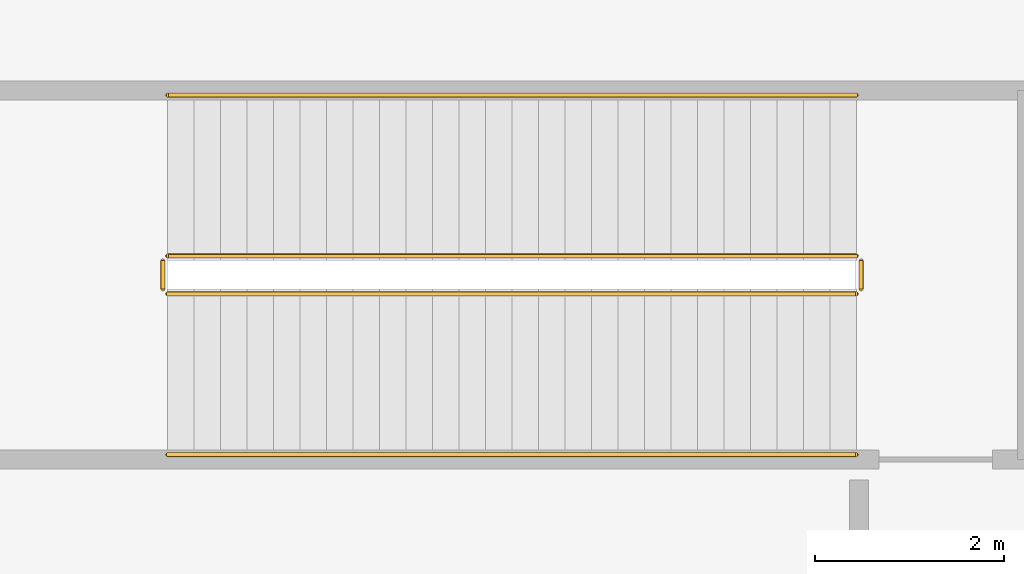
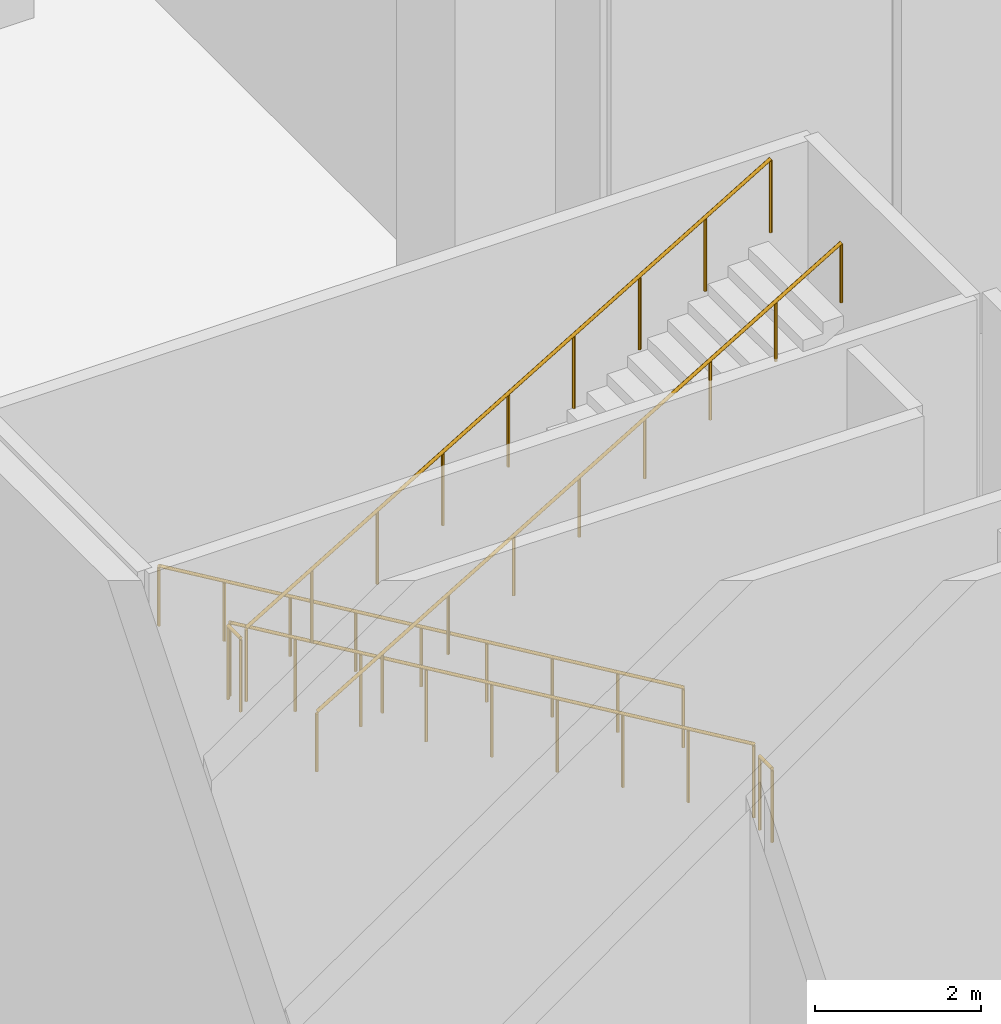
# One storey, part 42 of 54: 6 railings.
"""IFC4 building model written with IfcOpenShell, lengths in metres."""

import ifcopenshell
import ifcopenshell.guid

model = None  # the IFC model being written
_history = None  # IfcOwnerHistory: only IFC2X3 demands one
_inside = {}  # id of a spatial element -> (the spatial element, [elements in it])
_under = {}  # id of a project, library or spatial element -> (it, [spatial elements below it])
_declared = {}  # id of a project -> (the project, [libraries it declares])
_typed = {}  # id of a type object -> (the type object, [elements of that type])
_made_of = {}  # id of a material, layer set ... -> (it, [elements and type objects made of it])


def new_model(schema):
    """Start an empty IFC model of exactly this schema.

    Asked for "IFC4X3", IfcOpenShell would pick the latest addendum, in which some entities
    have other attributes; the version numbers below select the first issue.
    IFC2X3 requires an IfcOwnerHistory on every rooted entity: one is made here for all.
    """
    global model, _history
    if schema == "IFC4X3":
        model = ifcopenshell.file(schema_version=(4, 3, 0, 0))
    else:
        model = ifcopenshell.file(schema=schema)
    _inside.clear()
    _under.clear()
    _declared.clear()
    _typed.clear()
    _made_of.clear()
    _history = None
    if model.schema == "IFC2X3":
        org = make("IfcOrganization", Name="unknown")
        user = make(
            "IfcPersonAndOrganization",
            ThePerson=make("IfcPerson", FamilyName="unknown"),
            TheOrganization=org,
        )
        app = make(
            "IfcApplication",
            ApplicationDeveloper=org,
            Version="unknown",
            ApplicationFullName="unknown",
            ApplicationIdentifier="unknown",
        )
        _history = make(
            "IfcOwnerHistory",
            OwningUser=user,
            OwningApplication=app,
            ChangeAction="ADDED",
            CreationDate=0,
        )
    return model


def make(cls, **values):
    """One entity of the class cls with the attributes given. An attribute that is None is left unset."""
    return model.create_entity(
        cls, **{name: value for name, value in values.items() if value is not None}
    )


def rooted(cls, **values):
    """An entity with a GlobalId (a new one), such as an element, a storey or a relation."""
    return make(cls, GlobalId=ifcopenshell.guid.new(), OwnerHistory=_history, **values)


def si_unit(unit_type, name, prefix=None):
    """IfcSIUnit, for example si_unit("LENGTHUNIT", "METRE", prefix="MILLI")."""
    return make("IfcSIUnit", UnitType=unit_type, Prefix=prefix, Name=name)


def assignment(units):
    """IfcUnitAssignment: the units of a project."""
    return None if units is None else make("IfcUnitAssignment", Units=units)


def point(xyz):
    """IfcCartesianPoint."""
    return None if xyz is None else make("IfcCartesianPoint", Coordinates=xyz)


def direction(xyz):
    """IfcDirection."""
    return None if xyz is None else make("IfcDirection", DirectionRatios=xyz)


def frame(location, z_axis=None, x_axis=None):
    """IfcAxis2Placement3D, a coordinate frame: its origin and axes. An axis left out is left unset."""
    return make(
        "IfcAxis2Placement3D",
        Location=point(location),
        Axis=direction(z_axis),
        RefDirection=direction(x_axis),
    )


def frame_2d(location, x_axis=None):
    """IfcAxis2Placement2D, a coordinate frame in the plane: its origin and x axis."""
    return make(
        "IfcAxis2Placement2D", Location=point(location), RefDirection=direction(x_axis)
    )


def origin():
    """The frame at (0, 0, 0) with its axes left unset."""
    return frame((0.0, 0.0, 0.0))


def origin_2d():
    """The frame at (0, 0) in the plane with its x axis left unset."""
    return frame_2d((0.0, 0.0))


def place(relative_to, where):
    """IfcLocalPlacement: puts the frame where relative to a parent placement (None: the world)."""
    return make(
        "IfcLocalPlacement", PlacementRelTo=relative_to, RelativePlacement=where
    )


def context(
    kind, dimensions, precision=None, world=None, true_north=None, identifier=None
):
    """IfcGeometricRepresentationContext, for example the 3D "Model" context."""
    return make(
        "IfcGeometricRepresentationContext",
        ContextIdentifier=identifier,
        ContextType=kind,
        CoordinateSpaceDimension=dimensions,
        Precision=precision,
        WorldCoordinateSystem=world,
        TrueNorth=true_north,
    )


def subcontext(parent, identifier, kind, view, scale=None):
    """IfcGeometricRepresentationSubContext, for example "Body" below "Model"."""
    return make(
        "IfcGeometricRepresentationSubContext",
        ContextIdentifier=identifier,
        ContextType=kind,
        ParentContext=parent,
        TargetScale=scale,
        TargetView=view,
    )


def project(units=None, contexts=None):
    """IfcProject with its units and contexts."""
    return rooted(
        "IfcProject",
        Name="project",
        RepresentationContexts=contexts,
        UnitsInContext=assignment(units),
    )


def spatial(cls, under=None, at=None, **own):
    """A site, building, storey or space (cls), placed at a placement, below another one or the project."""
    s = rooted(cls, ObjectPlacement=at, **own)
    if under is not None:
        _under.setdefault(under.id(), (under, []))[1].append(s)
    return s


def profile(cls, at=None, kind="AREA", **sizes):
    """A parametric profile (cls). Its sizes go by their IFC names, for example OverallWidth=200.0."""
    return make(cls, ProfileType=kind, Position=at, **sizes)


def circle(**sizes):
    """IfcCircleProfileDef."""
    return profile("IfcCircleProfileDef", **sizes)


def extrude(swept, where, along, depth):
    """IfcExtrudedAreaSolid: the profile swept, set in the frame where, extruded along a direction by depth."""
    return make(
        "IfcExtrudedAreaSolid",
        SweptArea=swept,
        Position=where,
        ExtrudedDirection=direction(along),
        Depth=depth,
    )


def shape(context_of_items, identifier, shape_type, items):
    """IfcShapeRepresentation: the items that make up one representation, for example the "Body"."""
    return make(
        "IfcShapeRepresentation",
        ContextOfItems=context_of_items,
        RepresentationIdentifier=identifier,
        RepresentationType=shape_type,
        Items=items,
    )


def material(Name=None, Category=None):
    """IfcMaterial."""
    return make("IfcMaterial", Name=Name, Category=Category)


def made_of(thing, what):
    """Note that an element or type object is made of a material, layer set ...; save() writes the relation."""
    if what is not None:
        _made_of.setdefault(what.id(), (what, []))[1].append(thing)
    return thing


def type_object(cls, material=None, **own):
    """A type object (cls), such as IfcWallType, which elements share."""
    return made_of(rooted(cls, **own), material)


def element(
    cls,
    number,
    at=None,
    inside=None,
    cuts=None,
    type_object=None,
    material=None,
    context=None,
    identifier="Body",
    shape_type=None,
    held_by="IfcProductDefinitionShape",
    body=None,
    shapes=None,
    **own,
):
    """One element of the class cls, such as IfcWall. Its Tag is "e" and its number.

    at: its placement. inside: the storey or other place that contains it. cuts: it is an
    opening in that element (IfcRelVoidsElement). A single representation is given by context,
    identifier, shape_type and body (its items); several are given by shapes. held_by: the class
    of the entity that holds the representations. save() writes the other relations.
    """
    e = rooted(cls, Tag="e%d" % number, ObjectPlacement=at, **own)
    if body is not None:
        shapes = [shape(context, identifier, shape_type, body)]
    if shapes is not None:
        e.Representation = make(held_by, Representations=shapes)
    if inside is not None:
        _inside.setdefault(inside.id(), (inside, []))[1].append(e)
    if cuts is not None:
        rooted(
            "IfcRelVoidsElement", RelatingBuildingElement=cuts, RelatedOpeningElement=e
        )
    if type_object is not None:
        _typed.setdefault(type_object.id(), (type_object, []))[1].append(e)
    return made_of(e, material)


def aggregate(whole, parts):
    """IfcRelAggregates: a whole, such as a stair, and the parts it consists of."""
    return rooted("IfcRelAggregates", RelatingObject=whole, RelatedObjects=parts)


def save(model, path):
    """Write the relations noted so far, then the file.

    IfcRelAggregates (storeys below a building ...), IfcRelContainedInSpatialStructure (elements
    in a storey), IfcRelDefinesByType, IfcRelAssociatesMaterial and IfcRelDeclares: one each for
    every whole, place, type object, material and project.
    """
    for whole, parts in _under.values():
        aggregate(whole, parts)
    for where, things in _inside.values():
        rooted(
            "IfcRelContainedInSpatialStructure",
            RelatedElements=things,
            RelatingStructure=where,
        )
    for kind, things in _typed.values():
        rooted("IfcRelDefinesByType", RelatedObjects=things, RelatingType=kind)
    for what, things in _made_of.values():
        rooted("IfcRelAssociatesMaterial", RelatedObjects=things, RelatingMaterial=what)
    for by, libraries in _declared.values():
        rooted("IfcRelDeclares", RelatingContext=by, RelatedDefinitions=libraries)
    model.write(path)


model = new_model("IFC4")

# Units and contexts
model_context = context("Model", 3, precision=1e-05, world=origin(), true_north=direction((0.0, 1.0)))
body_context = subcontext(model_context, "Body", "Model", "MODEL_VIEW")
ifc_project = project(units=[si_unit("LENGTHUNIT", "METRE"), si_unit("AREAUNIT", "SQUARE_METRE"), si_unit("VOLUMEUNIT", "CUBIC_METRE"), si_unit("PLANEANGLEUNIT", "RADIAN"), si_unit("MASSUNIT", "GRAM", prefix="KILO")], contexts=[model_context])

# Site, building, storey
site_placement = place(None, origin())
site = spatial("IfcSite", under=ifc_project, at=site_placement, CompositionType="ELEMENT")
building_placement = place(site_placement, origin())
building = spatial("IfcBuilding", under=site, at=building_placement, Name="Tamarind Cross Interchange Tower", CompositionType="ELEMENT")
storey_placement = place(building_placement, origin())
storey = spatial("IfcBuildingStorey", under=building, at=storey_placement, Name="L00", CompositionType="ELEMENT", Elevation=0.0)

# Railings
ifc_material_1 = material(Name="Public stair guard")
railing_type_1 = type_object("IfcRailingType", Name="Public stair guard", PredefinedType="GUARDRAIL", material=ifc_material_1)
railing_1_placement = place(storey_placement, frame((53.699951171875, -33.25, 0.166748046875)))
element("IfcRailing", 1, at=railing_1_placement, inside=storey, type_object=railing_type_1, Name="L00 XS-P10 stair guard 1", PredefinedType="GUARDRAIL", context=body_context, shape_type="SweptSolid", body=[
    extrude(circle(Radius=0.02392578125, at=origin_2d()), frame((0.0, 0.0, 1.076171875), z_axis=(-0.859298010897, 0.0, 0.511475247171), x_axis=(0.0, -1.0, 0.0)), (0.0, 0.0, 1.0), 8.47216796875),
    extrude(circle(Radius=0.02099609375, at=origin_2d()), origin(), (0.0, 0.0, 1.0), 1.052001953125),
    extrude(circle(Radius=0.02099609375, at=origin_2d()), frame((-0.909912109375, 0.0, 0.541748046875)), (0.0, 0.0, 1.0), 1.052001953125),
    extrude(circle(Radius=0.02099609375, at=origin_2d()), frame((-1.820068359375, 0.0, 1.083251953125)), (0.0, 0.0, 1.0), 1.052001953125),
    extrude(circle(Radius=0.02099609375, at=origin_2d()), frame((-2.72998046875, 0.0, 1.625)), (0.0, 0.0, 1.0), 1.052001953125),
    extrude(circle(Radius=0.02099609375, at=origin_2d()), frame((-3.64013671875, 0.0, 2.16650390625)), (0.0, 0.0, 1.0), 1.052001953125),
    extrude(circle(Radius=0.02099609375, at=origin_2d()), frame((-4.550048828125, 0.0, 2.708251953125)), (0.0, 0.0, 1.0), 1.052001953125),
    extrude(circle(Radius=0.02099609375, at=origin_2d()), frame((-5.4599609375, 0.0, 3.25)), (0.0, 0.0, 1.0), 1.052001953125),
    extrude(circle(Radius=0.02099609375, at=origin_2d()), frame((-6.3701171875, 0.0, 3.79150390625)), (0.0, 0.0, 1.0), 1.052001953125),
    extrude(circle(Radius=0.02099609375, at=origin_2d()), frame((-7.280029296875, 0.0, 4.333251953125)), (0.0, 0.0, 1.0), 1.052001953125),
])
railing_2_placement = place(storey_placement, frame((46.3701171875, -33.300048828125, 4.5)))
element("IfcRailing", 2, at=railing_2_placement, inside=storey, type_object=railing_type_1, Name="L00 XS-P10 stair guard 2", PredefinedType="GUARDRAIL", context=body_context, shape_type="SweptSolid", body=[
    extrude(circle(Radius=0.02392578125, at=origin_2d()), frame((0.0, 0.0, 1.076171875), z_axis=(0.0, -1.0, 0.0), x_axis=(1.0, 0.0, 0.0)), (0.0, 0.0, 1.0), 0.300048828125),
    extrude(circle(Radius=0.02099609375, at=origin_2d()), origin(), (0.0, 0.0, 1.0), 1.052001953125),
    extrude(circle(Radius=0.02099609375, at=origin_2d()), frame((0.0, -0.300048828125, 0.0)), (0.0, 0.0, 1.0), 1.052001953125),
])
railing_3_placement = place(storey_placement, frame((46.419921875, -33.64990234375, 4.666748046875)))
element("IfcRailing", 3, at=railing_3_placement, inside=storey, type_object=railing_type_1, Name="L00 XS-P10 stair guard 3", PredefinedType="GUARDRAIL", context=body_context, shape_type="SweptSolid", body=[
    extrude(circle(Radius=0.02392578125, at=origin_2d()), frame((0.0, 0.0, 1.076171875), z_axis=(0.859298010897, 0.0, 0.511475247171), x_axis=(0.0, 1.0, 0.0)), (0.0, 0.0, 1.0), 8.47216796875),
    extrude(circle(Radius=0.02099609375, at=origin_2d()), origin(), (0.0, 0.0, 1.0), 1.052001953125),
    extrude(circle(Radius=0.02099609375, at=origin_2d()), frame((0.909912109375, 0.0, 0.541748046875)), (0.0, 0.0, 1.0), 1.052001953125),
    extrude(circle(Radius=0.02099609375, at=origin_2d()), frame((1.820068359375, 0.0, 1.083251953125)), (0.0, 0.0, 1.0), 1.052001953125),
    extrude(circle(Radius=0.02099609375, at=origin_2d()), frame((2.72998046875, 0.0, 1.625)), (0.0, 0.0, 1.0), 1.052001953125),
    extrude(circle(Radius=0.02099609375, at=origin_2d()), frame((3.64013671875, 0.0, 2.16650390625)), (0.0, 0.0, 1.0), 1.052001953125),
    extrude(circle(Radius=0.02099609375, at=origin_2d()), frame((4.550048828125, 0.0, 2.708251953125)), (0.0, 0.0, 1.0), 1.052001953125),
    extrude(circle(Radius=0.02099609375, at=origin_2d()), frame((5.4599609375, 0.0, 3.25)), (0.0, 0.0, 1.0), 1.052001953125),
    extrude(circle(Radius=0.02099609375, at=origin_2d()), frame((6.3701171875, 0.0, 3.79150390625)), (0.0, 0.0, 1.0), 1.052001953125),
    extrude(circle(Radius=0.02099609375, at=origin_2d()), frame((7.280029296875, 0.0, 4.333251953125)), (0.0, 0.0, 1.0), 1.052001953125),
])
railing_4_placement = place(storey_placement, frame((53.75, -33.300048828125, 0.0)))
element("IfcRailing", 4, at=railing_4_placement, inside=storey, type_object=railing_type_1, Name="L00 XS-P10 stair guard 4", PredefinedType="GUARDRAIL", context=body_context, shape_type="SweptSolid", body=[
    extrude(circle(Radius=0.02392578125, at=origin_2d()), frame((0.0, 0.0, 1.076171875), z_axis=(0.0, -1.0, 0.0), x_axis=(1.0, 0.0, 0.0)), (0.0, 0.0, 1.0), 0.300048828125),
    extrude(circle(Radius=0.02099609375, at=origin_2d()), origin(), (0.0, 0.0, 1.0), 1.052001953125),
    extrude(circle(Radius=0.02099609375, at=origin_2d()), frame((0.0, -0.300048828125, 0.0)), (0.0, 0.0, 1.0), 1.052001953125),
])
ifc_material_2 = material(Name="Public stair handrail")
railing_type_2 = type_object("IfcRailingType", Name="Public stair handrail", PredefinedType="HANDRAIL", material=ifc_material_2)
railing_5_placement = place(storey_placement, frame((53.699951171875, -31.550048828125, 0.166748046875)))
element("IfcRailing", 5, at=railing_5_placement, inside=storey, type_object=railing_type_2, Name="L00 XS-P10 stair handrail 1", PredefinedType="HANDRAIL", context=body_context, shape_type="SweptSolid", body=[
    extrude(circle(Radius=0.02392578125, at=origin_2d()), frame((0.0, 0.0, 0.8759765625), z_axis=(-0.859298010897, 0.0, 0.511475247171), x_axis=(0.0, -1.0, 0.0)), (0.0, 0.0, 1.0), 8.47216796875),
    extrude(circle(Radius=0.02099609375, at=origin_2d()), origin(), (0.0, 0.0, 1.0), 0.851806640625),
    extrude(circle(Radius=0.02099609375, at=origin_2d()), frame((-0.909912109375, 0.0, 0.541748046875)), (0.0, 0.0, 1.0), 0.851806640625),
    extrude(circle(Radius=0.02099609375, at=origin_2d()), frame((-1.820068359375, 0.0, 1.083251953125)), (0.0, 0.0, 1.0), 0.851806640625),
    extrude(circle(Radius=0.02099609375, at=origin_2d()), frame((-2.72998046875, 0.0, 1.625)), (0.0, 0.0, 1.0), 0.851806640625),
    extrude(circle(Radius=0.02099609375, at=origin_2d()), frame((-3.64013671875, 0.0, 2.16650390625)), (0.0, 0.0, 1.0), 0.851806640625),
    extrude(circle(Radius=0.02099609375, at=origin_2d()), frame((-4.550048828125, 0.0, 2.708251953125)), (0.0, 0.0, 1.0), 0.851806640625),
    extrude(circle(Radius=0.02099609375, at=origin_2d()), frame((-5.4599609375, 0.0, 3.25)), (0.0, 0.0, 1.0), 0.851806640625),
    extrude(circle(Radius=0.02099609375, at=origin_2d()), frame((-6.3701171875, 0.0, 3.79150390625)), (0.0, 0.0, 1.0), 0.851806640625),
    extrude(circle(Radius=0.02099609375, at=origin_2d()), frame((-7.280029296875, 0.0, 4.333251953125)), (0.0, 0.0, 1.0), 0.851806640625),
])
railing_6_placement = place(storey_placement, frame((46.419921875, -35.35009765625, 4.666748046875)))
element("IfcRailing", 6, at=railing_6_placement, inside=storey, type_object=railing_type_2, Name="L00 XS-P10 stair handrail 2", PredefinedType="HANDRAIL", context=body_context, shape_type="SweptSolid", body=[
    extrude(circle(Radius=0.02392578125, at=origin_2d()), frame((0.0, 0.0, 0.8759765625), z_axis=(0.859298010897, 0.0, 0.511475247171), x_axis=(0.0, 1.0, 0.0)), (0.0, 0.0, 1.0), 8.47216796875),
    extrude(circle(Radius=0.02099609375, at=origin_2d()), origin(), (0.0, 0.0, 1.0), 0.851806640625),
    extrude(circle(Radius=0.02099609375, at=origin_2d()), frame((0.909912109375, 0.0, 0.541748046875)), (0.0, 0.0, 1.0), 0.851806640625),
    extrude(circle(Radius=0.02099609375, at=origin_2d()), frame((1.820068359375, 0.0, 1.083251953125)), (0.0, 0.0, 1.0), 0.851806640625),
    extrude(circle(Radius=0.02099609375, at=origin_2d()), frame((2.72998046875, 0.0, 1.625)), (0.0, 0.0, 1.0), 0.851806640625),
    extrude(circle(Radius=0.02099609375, at=origin_2d()), frame((3.64013671875, 0.0, 2.16650390625)), (0.0, 0.0, 1.0), 0.851806640625),
    extrude(circle(Radius=0.02099609375, at=origin_2d()), frame((4.550048828125, 0.0, 2.708251953125)), (0.0, 0.0, 1.0), 0.851806640625),
    extrude(circle(Radius=0.02099609375, at=origin_2d()), frame((5.4599609375, 0.0, 3.25)), (0.0, 0.0, 1.0), 0.851806640625),
    extrude(circle(Radius=0.02099609375, at=origin_2d()), frame((6.3701171875, 0.0, 3.79150390625)), (0.0, 0.0, 1.0), 0.851806640625),
    extrude(circle(Radius=0.02099609375, at=origin_2d()), frame((7.280029296875, 0.0, 4.333251953125)), (0.0, 0.0, 1.0), 0.851806640625),
])

save(model, "model.ifc")
